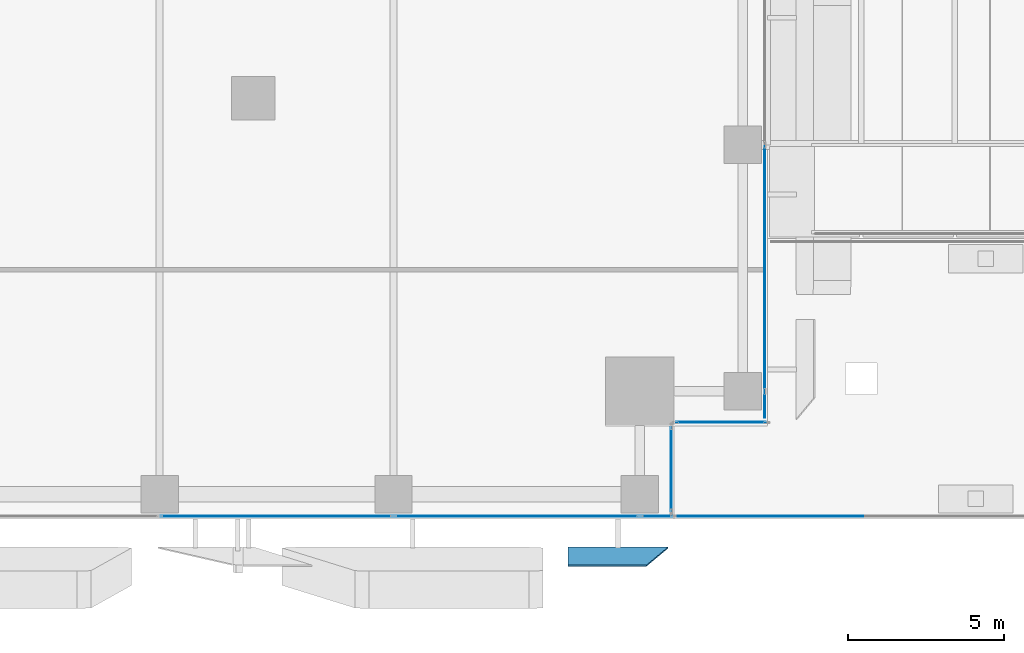
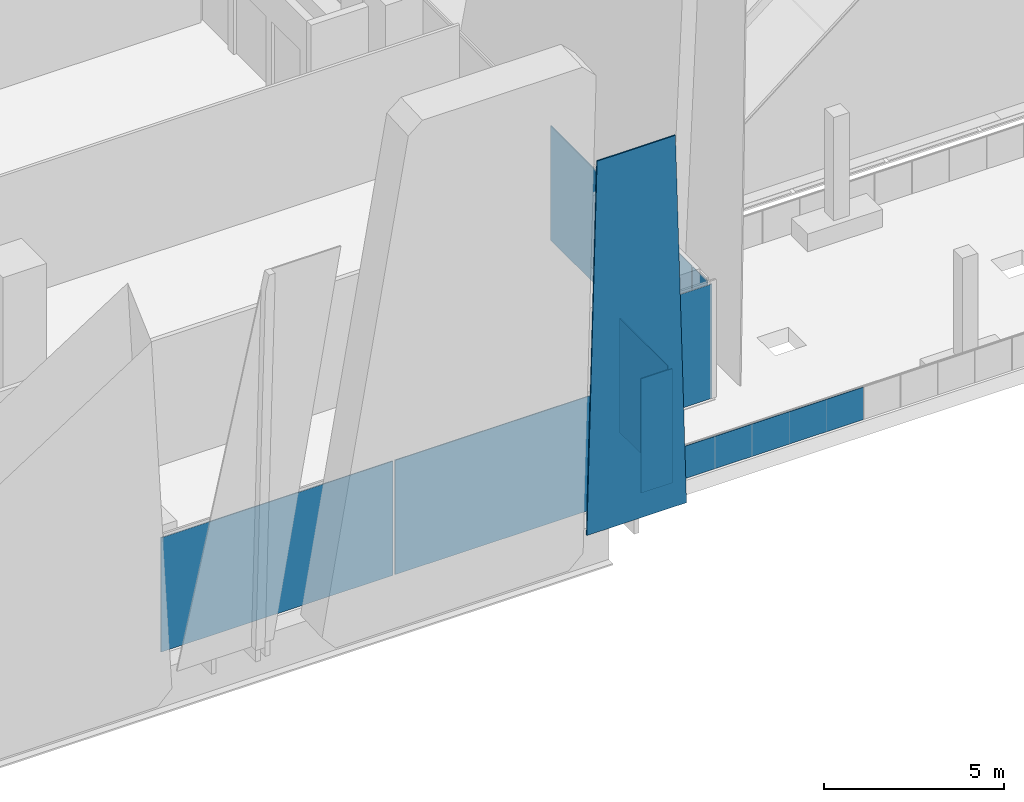
# One storey, part 27 of 46: 9 plates, 4 elements without a shape of their own.
"""IFC4 building model written with IfcOpenShell, lengths in metres."""

from ifc_helpers import new_model, si_unit, direction, frame, origin, origin_2d, place, context, subcontext, project, spatial, polyline, rectangle, outline, extrude, source, transform, mapped, material, layer, layer_set, type_object, element, aggregate, save


model = new_model("IFC4")

# Units and contexts
model_context = context("Model", 3, precision=1e-05, world=origin(), true_north=direction((0.0, 1.0)))
body_context = subcontext(model_context, "Body", "Model", "MODEL_VIEW")
ifc_project = project(units=[si_unit("LENGTHUNIT", "METRE"), si_unit("AREAUNIT", "SQUARE_METRE"), si_unit("VOLUMEUNIT", "CUBIC_METRE"), si_unit("PLANEANGLEUNIT", "RADIAN"), si_unit("MASSUNIT", "GRAM", prefix="KILO")], contexts=[model_context])

# Site, building, storey
site_placement = place(None, origin())
site = spatial("IfcSite", under=ifc_project, at=site_placement, CompositionType="ELEMENT")
building_placement = place(site_placement, origin())
building = spatial("IfcBuilding", under=site, at=building_placement, Name="Khomas Fold Tower", CompositionType="ELEMENT")
storey_placement = place(building_placement, frame((0.0, 0.0, 33.0)))
storey = spatial("IfcBuildingStorey", under=building, at=storey_placement, Name="L06", CompositionType="ELEMENT", Elevation=33.0)

# Plate
ifc_material_1 = material(Name="Clear laminated glass", Category="glass")
ifc_layer_1 = layer(ifc_material_1, 0.0400390625)
ifc_layer_set_1 = layer_set([ifc_layer_1], Name="Clear laminated glass")
plate_type_1 = type_object("IfcPlateType", Name="SK-Clear laminated glass leaf", PredefinedType="SHEET", material=ifc_layer_set_1)
plate_1_placement = place(storey_placement, frame((50.7998046875, -0.89990234375, 0.0), z_axis=(0.0, 0.99904235518, 0.043753543365), x_axis=(-1.0, 0.0, 0.0)))
element("IfcPlate", 1, at=plate_1_placement, inside=storey, type_object=plate_type_1, Name="OUTER SKIN glass L06 SG107-8", PredefinedType="SHEET", context=body_context, shape_type="SweptSolid", body=[
    extrude(outline(polyline([(0.0, 0.0), (3.19970703125, 0.0), (3.19970703125, 13.062558119247585), (0.68603515625, 13.062558119247585), (0.0, 0.0)])), origin(), (0.0, 0.0, -1.0), 0.0400390625),
])

# Curtain wall, plate
ifc_material_2 = material(Name="Aluminium framed double glazing", Category="aluminium")
curtain_wall_type = type_object("IfcCurtainWallType", Name="SK-Unitised clear-glass wall, growing floors CW1", PredefinedType="NOTDEFINED", material=ifc_material_2)
curtain_wall_1_placement = place(storey_placement, origin())
curtain_wall_1 = element("IfcCurtainWall", 2, at=curtain_wall_1_placement, inside=storey, type_object=curtain_wall_type, Name="CW1 run L06 03-0", PredefinedType="NOTDEFINED")
ifc_material_3 = material(Name="Clear double glazed unit")
ifc_layer_2 = layer(ifc_material_3, 0.031982421875)
ifc_layer_set_2 = layer_set([ifc_layer_2], Name="Clear double glazed unit")
plate_type_2 = type_object("IfcPlateType", Name="SK-Unitised clear-glass wall, growing floors glass panel CW1-P", PredefinedType="CURTAIN_PANEL", material=ifc_layer_set_2)
shared_shape_1 = source(origin(), body_context, "Body", "SweptSolid", [
    extrude(rectangle(XDim=0.81005859375, YDim=0.031982421875, at=origin_2d()), origin(), (0.0, 0.0, 1.0), 3.8798828125),
])
plate_2_placement = place(storey_placement, frame((53.89990234375, 3.6650390625, 0.0), z_axis=(0.0, 0.0, 1.0), x_axis=(0.0, 1.0, 0.0)))
plate_2 = element("IfcPlate", 3, at=plate_2_placement, type_object=plate_type_2, Name="CW1 glass panel 1", PredefinedType="CURTAIN_PANEL", context=body_context, shape_type="MappedRepresentation", body=[
    mapped(shared_shape_1, transform((0.0, 0.0, 0.0))),
])

curtain_wall_2_placement = place(storey_placement, origin())
curtain_wall_2 = element("IfcCurtainWall", 4, at=curtain_wall_2_placement, inside=storey, type_object=curtain_wall_type, Name="CW1 run L06 00-0", PredefinedType="NOTDEFINED")
shared_shape_2 = source(origin(), body_context, "Body", "SweptSolid", [
    extrude(rectangle(XDim=7.840087890625, YDim=0.031982421875, at=origin_2d()), origin(), (0.0, 0.0, 1.0), 3.8798828125),
])
plate_3_placement = place(storey_placement, frame((45.949951171875, 0.10009765625, 0.0), z_axis=(0.0, 0.0, 1.0), x_axis=(1.0, 0.0, 0.0)))
plate_3 = element("IfcPlate", 5, at=plate_3_placement, type_object=plate_type_2, Name="CW1 glass panel 7", PredefinedType="CURTAIN_PANEL", context=body_context, shape_type="MappedRepresentation", body=[
    mapped(shared_shape_2, transform((0.0, 0.0, 0.0))),
])

# Plate
plate_4_placement = place(storey_placement, frame((53.89990234375, 8.050048828125, 0.0), z_axis=(0.0, 0.0, 1.0), x_axis=(0.0, 1.0, 0.0)))
plate_4 = element("IfcPlate", 6, at=plate_4_placement, type_object=plate_type_2, Name="CW1 glass panel 2", PredefinedType="CURTAIN_PANEL", context=body_context, shape_type="MappedRepresentation", body=[
    mapped(shared_shape_2, transform((0.0, 0.0, 0.0))),
])

aggregate(curtain_wall_1, [plate_2, plate_4])

shared_shape_3 = source(origin(), body_context, "Body", "SweptSolid", [
    extrude(rectangle(XDim=7.43994140625, YDim=0.031982421875, at=origin_2d()), origin(), (0.0, 0.0, 1.0), 3.8798828125),
])
plate_5_placement = place(storey_placement, frame((38.25, 0.10009765625, 0.0), z_axis=(0.0, 0.0, 1.0), x_axis=(1.0, 0.0, 0.0)))
plate_5 = element("IfcPlate", 7, at=plate_5_placement, type_object=plate_type_2, Name="CW1 glass panel 6", PredefinedType="CURTAIN_PANEL", context=body_context, shape_type="MappedRepresentation", body=[
    mapped(shared_shape_3, transform((0.0, 0.0, 0.0))),
])

shared_shape_4 = source(origin(), body_context, "Body", "SweptSolid", [
    extrude(rectangle(XDim=1.010009765625, YDim=0.031982421875, at=origin_2d()), origin(), (0.0, 0.0, 1.0), 3.8798828125),
])
plate_6_placement = place(storey_placement, frame((50.43505859375, 0.10009765625, 0.0), z_axis=(0.0, 0.0, 1.0), x_axis=(1.0, 0.0, 0.0)))
plate_6 = element("IfcPlate", 8, at=plate_6_placement, type_object=plate_type_2, Name="CW1 glass panel 8", PredefinedType="CURTAIN_PANEL", context=body_context, shape_type="MappedRepresentation", body=[
    mapped(shared_shape_4, transform((0.0, 0.0, 0.0))),
])

aggregate(curtain_wall_2, [plate_5, plate_3, plate_6])

# Curtain wall, plate
curtain_wall_3_placement = place(storey_placement, origin())
curtain_wall_3 = element("IfcCurtainWall", 9, at=curtain_wall_3_placement, inside=storey, type_object=curtain_wall_type, Name="CW1 corner return L06 01", PredefinedType="NOTDEFINED")
shared_shape_5 = source(origin(), body_context, "Body", "SweptSolid", [
    extrude(rectangle(XDim=2.679931640625, YDim=0.031982421875, at=origin_2d()), origin(), (0.0, 0.0, 1.0), 3.8798828125),
])
plate_7_placement = place(storey_placement, frame((50.89990234375, 1.60009765625, 0.0), z_axis=(0.0, 0.0, 1.0), x_axis=(0.0, 1.0, 0.0)))
plate_7 = element("IfcPlate", 10, at=plate_7_placement, type_object=plate_type_2, Name="CW1 glass panel 1", PredefinedType="CURTAIN_PANEL", context=body_context, shape_type="MappedRepresentation", body=[
    mapped(shared_shape_5, transform((0.0, 0.0, 0.0))),
])
aggregate(curtain_wall_3, [plate_7])

curtain_wall_4_placement = place(storey_placement, origin())
curtain_wall_4 = element("IfcCurtainWall", 11, at=curtain_wall_4_placement, inside=storey, type_object=curtain_wall_type, Name="CW1 corner return L06 02", PredefinedType="NOTDEFINED")
shared_shape_6 = source(origin(), body_context, "Body", "SweptSolid", [
    extrude(rectangle(XDim=2.8798828125, YDim=0.031982421875, at=origin_2d()), origin(), (0.0, 0.0, 1.0), 3.8798828125),
])
plate_8_placement = place(storey_placement, frame((52.5, 3.10009765625, 0.0), z_axis=(0.0, 0.0, 1.0), x_axis=(1.0, 0.0, 0.0)))
plate_8 = element("IfcPlate", 12, at=plate_8_placement, type_object=plate_type_2, Name="CW1 glass panel 1", PredefinedType="CURTAIN_PANEL", context=body_context, shape_type="MappedRepresentation", body=[
    mapped(shared_shape_6, transform((0.0, 0.0, 0.0))),
])
aggregate(curtain_wall_4, [plate_8])

# Plate
ifc_material_4 = material(Name="Laminated toughened glass", Category="glass")
ifc_layer_3 = layer(ifc_material_4, 0.030029296875)
ifc_layer_set_3 = layer_set([ifc_layer_3], Name="Laminated toughened glass")
plate_type_3 = type_object("IfcPlateType", Name="Guard glass infill GD-GI", PredefinedType="SHEET", material=ifc_layer_set_3)
shared_shape_7 = source(origin(), body_context, "Body", "SweptSolid", [
    extrude(rectangle(XDim=5.9580078125, YDim=0.030029296875, at=origin_2d()), origin(), (0.0, 0.0, 1.0), 1.10009765625),
])
plate_9_placement = place(storey_placement, frame((54.089111328125, 0.10009765625, 0.0), z_axis=(0.0, 0.0, 1.0), x_axis=(-1.0, 0.0, 0.0)))
element("IfcPlate", 13, at=plate_9_placement, inside=storey, type_object=plate_type_3, Name="Guard glass infill", PredefinedType="SHEET", context=body_context, shape_type="MappedRepresentation", body=[
    mapped(shared_shape_7, transform((0.0, 0.0, 0.0))),
])

save(model, "model.ifc")
